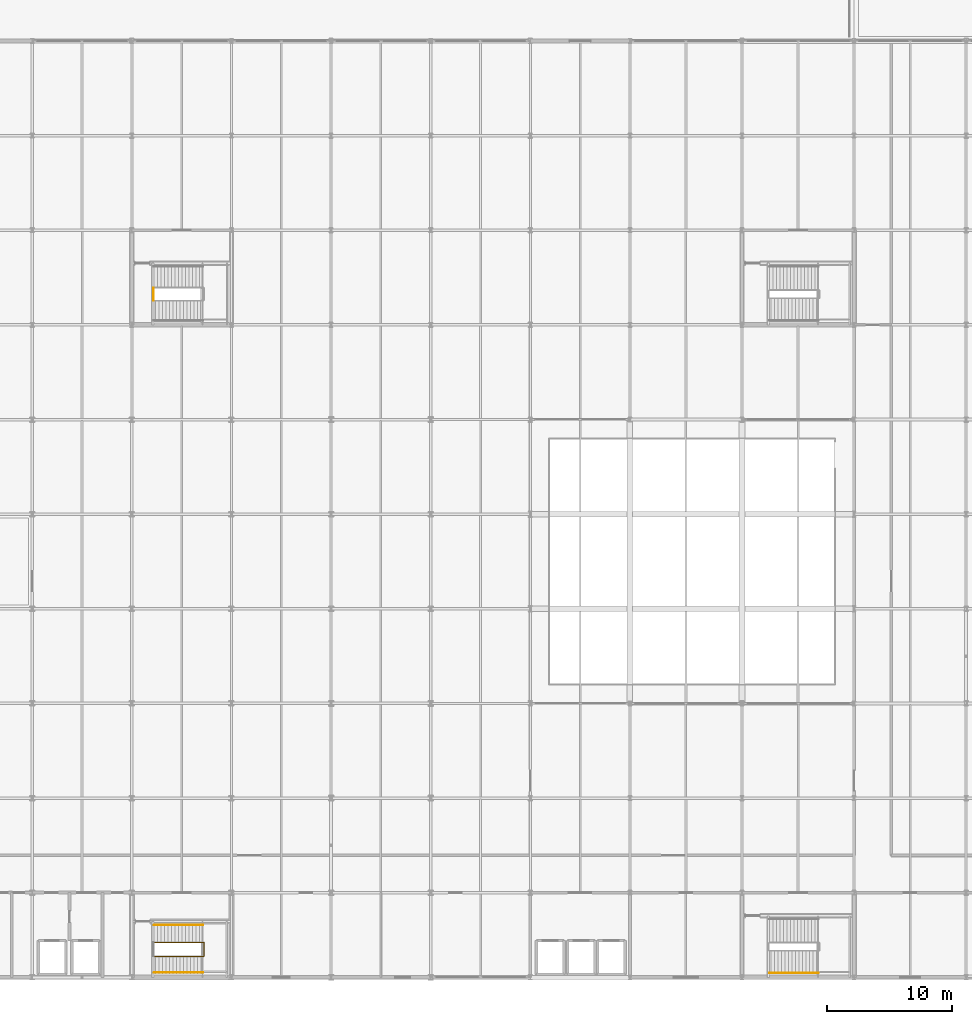
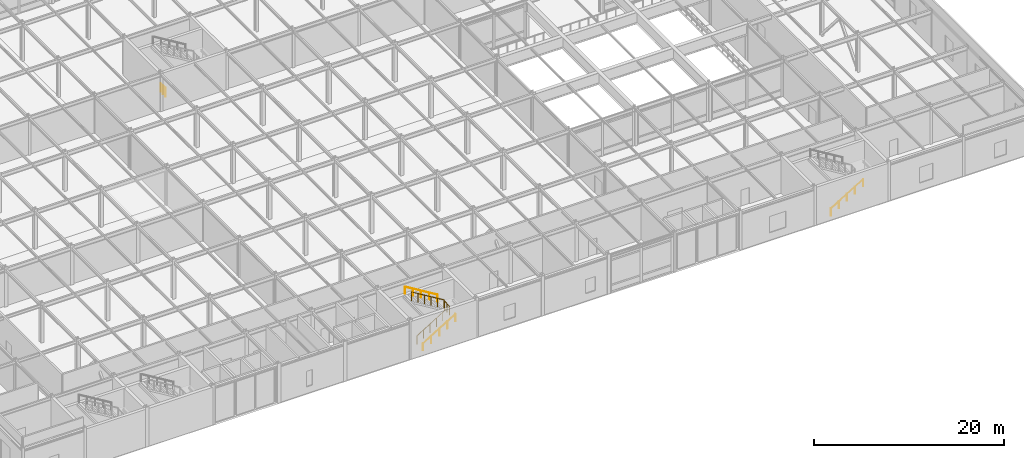
# One storey, part 73 of 79: 5 railings.
"""IFC4 building model written with IfcOpenShell, lengths in metres."""

from ifc_helpers import new_model, si_unit, direction, frame, origin, origin_2d, place, context, subcontext, project, spatial, circle, extrude, material, type_object, element, save


model = new_model("IFC4")

# Units and contexts
model_context = context("Model", 3, precision=1e-05, world=origin(), true_north=direction((0.0, 1.0)))
body_context = subcontext(model_context, "Body", "Model", "MODEL_VIEW")
ifc_project = project(units=[si_unit("LENGTHUNIT", "METRE"), si_unit("AREAUNIT", "SQUARE_METRE"), si_unit("VOLUMEUNIT", "CUBIC_METRE"), si_unit("PLANEANGLEUNIT", "RADIAN"), si_unit("MASSUNIT", "GRAM", prefix="KILO")], contexts=[model_context])

# Site, building, storey
site_placement = place(None, origin())
site = spatial("IfcSite", under=ifc_project, at=site_placement, CompositionType="ELEMENT")
building_placement = place(site_placement, origin())
building = spatial("IfcBuilding", under=site, at=building_placement, Name="Shalkamar Park Central Library", CompositionType="ELEMENT")
storey_placement = place(building_placement, frame((0.0, 0.0, 10.5)))
storey = spatial("IfcBuildingStorey", under=building, at=storey_placement, Name="L03", CompositionType="ELEMENT", Elevation=10.5)

# Railings
ifc_material = material(Name="Steel S355", Category="steel")
railing_type_1 = type_object("IfcRailingType", Name="Stair Guardrail 1100", PredefinedType="GUARDRAIL", material=ifc_material)
railing_1_placement = place(storey_placement, frame((198.800048828125, 250.090087890625, 0.169921875)))
element("IfcRailing", 1, at=railing_1_placement, inside=storey, type_object=railing_type_1, Name="Stair Inner Well Guardrail ST-T2-L03", PredefinedType="GUARDRAIL", context=body_context, shape_type="SweptSolid", body=[
    extrude(circle(Radius=0.02392578125, at=origin_2d()), frame((0.0, 0.0, 1.076171875), z_axis=(0.854770645689, 0.0, 0.519005918337), x_axis=(0.0, 1.0, 0.0)), (0.0, 0.0, 1.0), 4.5859375),
    extrude(circle(Radius=0.02392578125, at=origin_2d()), frame((3.919921875, 0.0, 3.4560546875), z_axis=(1.0, 0.0, 0.0), x_axis=(0.0, 1.0, 0.0)), (0.0, 0.0, 1.0), 0.06005859375),
    extrude(circle(Radius=0.02392578125, at=origin_2d()), frame((3.97998046875, 0.0, 3.4560546875), z_axis=(0.0, 1.0, 0.0), x_axis=(-1.0, 0.0, 0.0)), (0.0, 0.0, 1.0), 1.119873046875),
    extrude(circle(Radius=0.02392578125, at=origin_2d()), frame((3.97998046875, 1.119873046875, 3.4560546875), z_axis=(-0.333245237307, 0.0, 0.942840183601), x_axis=(0.0, -1.0, 0.0)), (0.0, 0.0, 1.0), 0.18017578125),
    extrude(circle(Radius=0.02392578125, at=origin_2d()), frame((3.919921875, 1.119873046875, 3.6259765625), z_axis=(-0.854770645689, 0.0, 0.519005918337), x_axis=(0.0, -1.0, 0.0)), (0.0, 0.0, 1.0), 4.5859375),
    extrude(circle(Radius=0.02099609375, at=origin_2d()), origin(), (0.0, 0.0, 1.0), 1.052001953125),
    extrude(circle(Radius=0.02099609375, at=origin_2d()), frame((0.783935546875, 0.0, 0.47607421875)), (0.0, 0.0, 1.0), 1.052001953125),
    extrude(circle(Radius=0.02099609375, at=origin_2d()), frame((1.56787109375, 0.0, 0.9521484375)), (0.0, 0.0, 1.0), 1.052001953125),
    extrude(circle(Radius=0.02099609375, at=origin_2d()), frame((2.35205078125, 0.0, 1.427978515625)), (0.0, 0.0, 1.0), 1.052001953125),
    extrude(circle(Radius=0.02099609375, at=origin_2d()), frame((3.135986328125, 0.0, 1.904052734375)), (0.0, 0.0, 1.0), 1.052001953125),
    extrude(circle(Radius=0.02099609375, at=origin_2d()), frame((3.919921875, 0.0, 2.380126953125)), (0.0, 0.0, 1.0), 1.052001953125),
    extrude(circle(Radius=0.02099609375, at=origin_2d()), frame((3.97998046875, 0.0, 2.380126953125)), (0.0, 0.0, 1.0), 1.052001953125),
    extrude(circle(Radius=0.02099609375, at=origin_2d()), frame((3.97998046875, 0.56005859375, 2.380126953125)), (0.0, 0.0, 1.0), 1.052001953125),
    extrude(circle(Radius=0.02099609375, at=origin_2d()), frame((3.97998046875, 1.119873046875, 2.380126953125)), (0.0, 0.0, 1.0), 1.052001953125),
    extrude(circle(Radius=0.02099609375, at=origin_2d()), frame((3.919921875, 1.119873046875, 2.550048828125)), (0.0, 0.0, 1.0), 1.052001953125),
    extrude(circle(Radius=0.02099609375, at=origin_2d()), frame((3.135986328125, 1.119873046875, 3.026123046875)), (0.0, 0.0, 1.0), 1.052001953125),
    extrude(circle(Radius=0.02099609375, at=origin_2d()), frame((2.35205078125, 1.119873046875, 3.502197265625)), (0.0, 0.0, 1.0), 1.052001953125),
    extrude(circle(Radius=0.02099609375, at=origin_2d()), frame((1.56787109375, 1.119873046875, 3.97802734375)), (0.0, 0.0, 1.0), 1.052001953125),
    extrude(circle(Radius=0.02099609375, at=origin_2d()), frame((0.783935546875, 1.119873046875, 4.4541015625)), (0.0, 0.0, 1.0), 1.052001953125),
    extrude(circle(Radius=0.02099609375, at=origin_2d()), frame((0.0, 1.119873046875, 4.93017578125)), (0.0, 0.0, 1.0), 1.052001953125),
])
railing_2_placement = place(storey_placement, frame((198.735107421875, 302.77490234375, 0.0)))
element("IfcRailing", 2, at=railing_2_placement, inside=storey, type_object=railing_type_1, Name="Stair Arrival Well Guardrail ST-P7 (L03)", PredefinedType="GUARDRAIL", context=body_context, shape_type="SweptSolid", body=[
    extrude(circle(Radius=0.02392578125, at=origin_2d()), frame((0.0, 0.0, 1.076171875), z_axis=(0.0, 1.0, 0.0), x_axis=(-1.0, 0.0, 0.0)), (0.0, 0.0, 1.0), 1.0),
    extrude(circle(Radius=0.02099609375, at=origin_2d()), origin(), (0.0, 0.0, 1.0), 1.052001953125),
    extrude(circle(Radius=0.02099609375, at=origin_2d()), frame((0.0, 0.5, 0.0)), (0.0, 0.0, 1.0), 1.052001953125),
    extrude(circle(Radius=0.02099609375, at=origin_2d()), frame((0.0, 1.0, 0.0)), (0.0, 0.0, 1.0), 1.052001953125),
])
railing_type_2 = type_object("IfcRailingType", Name="Stair Pitched Handrail 920", PredefinedType="HANDRAIL", material=ifc_material)
railing_3_placement = place(storey_placement, frame((198.800048828125, 248.780029296875, 0.169921875)))
element("IfcRailing", 3, at=railing_3_placement, inside=storey, type_object=railing_type_2, Name="Stair Wall Handrail ST-T2-L03 Flight 1", PredefinedType="HANDRAIL", context=body_context, shape_type="SweptSolid", body=[
    extrude(circle(Radius=0.02392578125, at=origin_2d()), frame((0.0, 0.0, 0.89599609375), z_axis=(0.854770645689, 0.0, 0.519005918337), x_axis=(0.0, 1.0, 0.0)), (0.0, 0.0, 1.0), 4.5859375),
    extrude(circle(Radius=0.02099609375, at=origin_2d()), origin(), (0.0, 0.0, 1.0), 0.871826171875),
    extrude(circle(Radius=0.02099609375, at=origin_2d()), frame((0.97998046875, 0.0, 0.594970703125)), (0.0, 0.0, 1.0), 0.871826171875),
    extrude(circle(Radius=0.02099609375, at=origin_2d()), frame((1.9599609375, 0.0, 1.18994140625)), (0.0, 0.0, 1.0), 0.871826171875),
    extrude(circle(Radius=0.02099609375, at=origin_2d()), frame((2.93994140625, 0.0, 1.78515625)), (0.0, 0.0, 1.0), 0.871826171875),
    extrude(circle(Radius=0.02099609375, at=origin_2d()), frame((3.919921875, 0.0, 2.380126953125)), (0.0, 0.0, 1.0), 0.871826171875),
])
railing_4_placement = place(storey_placement, frame((202.719970703125, 252.60009765625, 2.719970703125)))
element("IfcRailing", 4, at=railing_4_placement, inside=storey, type_object=railing_type_2, Name="Stair Wall Handrail ST-T2-L03 Flight 2", PredefinedType="HANDRAIL", context=body_context, shape_type="SweptSolid", body=[
    extrude(circle(Radius=0.02392578125, at=origin_2d()), frame((0.0, 0.0, 0.89599609375), z_axis=(-0.854770645689, 0.0, 0.519005918337), x_axis=(0.0, -1.0, 0.0)), (0.0, 0.0, 1.0), 4.5859375),
    extrude(circle(Radius=0.02099609375, at=origin_2d()), origin(), (0.0, 0.0, 1.0), 0.871826171875),
    extrude(circle(Radius=0.02099609375, at=origin_2d()), frame((-0.97998046875, 0.0, 0.594970703125)), (0.0, 0.0, 1.0), 0.871826171875),
    extrude(circle(Radius=0.02099609375, at=origin_2d()), frame((-1.9599609375, 0.0, 1.18994140625)), (0.0, 0.0, 1.0), 0.871826171875),
    extrude(circle(Radius=0.02099609375, at=origin_2d()), frame((-2.93994140625, 0.0, 1.78515625)), (0.0, 0.0, 1.0), 0.871826171875),
    extrude(circle(Radius=0.02099609375, at=origin_2d()), frame((-3.919921875, 0.0, 2.380126953125)), (0.0, 0.0, 1.0), 0.871826171875),
])
railing_5_placement = place(storey_placement, frame((248.22509765625, 248.7548828125, 0.169921875)))
element("IfcRailing", 5, at=railing_5_placement, inside=storey, type_object=railing_type_2, Name="Stair Wall Handrail ST-P3-L03 Flight 1", PredefinedType="HANDRAIL", context=body_context, shape_type="SweptSolid", body=[
    extrude(circle(Radius=0.02392578125, at=origin_2d()), frame((0.0, 0.0, 0.89599609375), z_axis=(0.854770645689, 0.0, 0.519005918337), x_axis=(0.0, 1.0, 0.0)), (0.0, 0.0, 1.0), 4.5859375),
    extrude(circle(Radius=0.02099609375, at=origin_2d()), origin(), (0.0, 0.0, 1.0), 0.871826171875),
    extrude(circle(Radius=0.02099609375, at=origin_2d()), frame((0.97998046875, 0.0, 0.594970703125)), (0.0, 0.0, 1.0), 0.871826171875),
    extrude(circle(Radius=0.02099609375, at=origin_2d()), frame((1.9599609375, 0.0, 1.18994140625)), (0.0, 0.0, 1.0), 0.871826171875),
    extrude(circle(Radius=0.02099609375, at=origin_2d()), frame((2.93994140625, 0.0, 1.78515625)), (0.0, 0.0, 1.0), 0.871826171875),
    extrude(circle(Radius=0.02099609375, at=origin_2d()), frame((3.919921875, 0.0, 2.380126953125)), (0.0, 0.0, 1.0), 0.871826171875),
])

save(model, "model.ifc")
